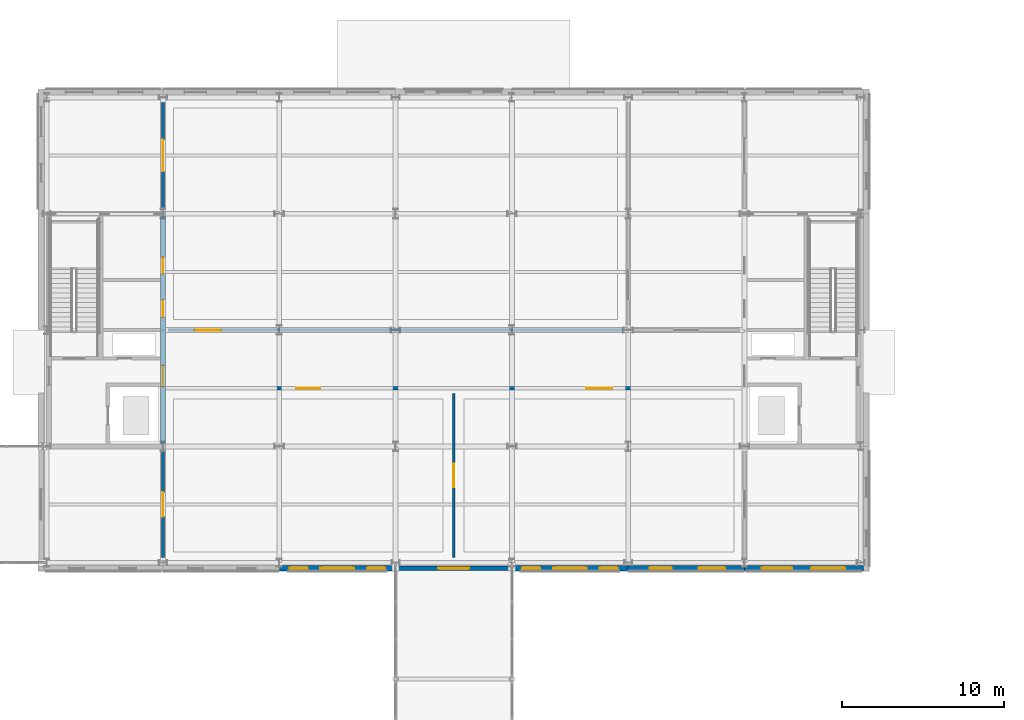
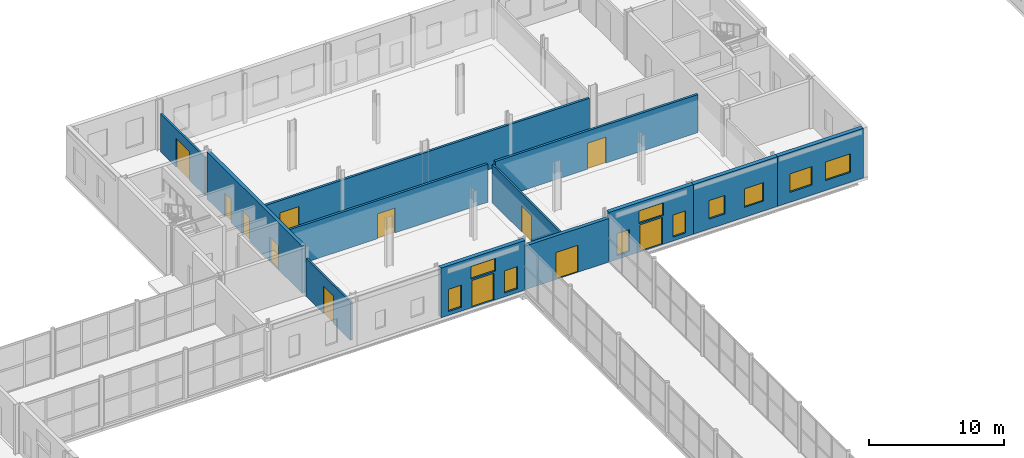
# One storey, part 63 of 92: 12 doors, 12 walls, 10 windows, 22 openings.
"""IFC4 building model written with IfcOpenShell, lengths in metres."""

from ifc_helpers import new_model, si_unit, direction, frame, frame_2d, origin, place, context, subcontext, project, spatial, rectangle, extrude, material, layer, layer_set, type_object, element, fill, save


model = new_model("IFC4")

# Units and contexts
model_context = context("Model", 3, precision=1e-05, world=origin(), true_north=direction((0.0, 1.0)))
body_context = subcontext(model_context, "Body", "Model", "MODEL_VIEW")
ifc_project = project(units=[si_unit("LENGTHUNIT", "METRE"), si_unit("AREAUNIT", "SQUARE_METRE"), si_unit("VOLUMEUNIT", "CUBIC_METRE"), si_unit("PLANEANGLEUNIT", "RADIAN"), si_unit("MASSUNIT", "GRAM", prefix="KILO")], contexts=[model_context])

# Site, building, storey
site_placement = place(None, origin())
site = spatial("IfcSite", under=ifc_project, at=site_placement, CompositionType="ELEMENT")
building_placement = place(site_placement, origin())
building = spatial("IfcBuilding", under=site, at=building_placement, Name="Zlatovets Crest Museum", CompositionType="ELEMENT")
storey_placement = place(building_placement, origin())
storey = spatial("IfcBuildingStorey", under=building, at=storey_placement, Name="L00", CompositionType="ELEMENT", Elevation=0.0)

# Wall, openings, doors
ifc_material_1 = material(Name="Concrete C35/45", Category="concrete")
ifc_layer_1 = layer(ifc_material_1, 0.300048828125)
ifc_layer_set_1 = layer_set([ifc_layer_1], Name="Concrete C35/45")
wall_type_1 = type_object("IfcWallType", Name="CoreWall_SW01", PredefinedType="SHEAR", material=ifc_layer_set_1)
wall_1_placement = place(storey_placement, frame((64.800048828125, 93.75, 0.0), z_axis=(0.0, 0.0, 1.0), x_axis=(0.0, 1.0, 0.0)))
wall_1 = element("IfcWall", 1, at=wall_1_placement, inside=storey, type_object=wall_type_1, Name="Core C1 L00 Spine Shear Wall", PredefinedType="SHEAR", context=body_context, shape_type="SweptSolid", body=[
    extrude(rectangle(XDim=14.10009765625, YDim=0.300048828125, at=frame_2d((7.050048828125, 0.0))), origin(), (0.0, 0.0, 1.0), 4.280029296875),
])
opening_1_placement = place(wall_1_placement, frame((3.550048828125, 0.0, 0.0)))
opening_1 = element("IfcOpeningElement", 2, at=opening_1_placement, cuts=wall_1, Name="Opening FD-01", PredefinedType="OPENING", context=body_context, shape_type="SweptSolid", body=[
    extrude(rectangle(XDim=1.300048828125, YDim=2.199951171875, at=frame_2d((0.64990234375, 1.10009765625))), frame((0.0, 0.16015625, 0.0), z_axis=(0.0, -1.0, 0.0), x_axis=(1.0, 0.0, 0.0)), (0.0, 0.0, 1.0), 0.320068359375),
])
opening_2_placement = place(wall_1_placement, frame((7.85009765625, 0.0, 0.0)))
opening_2 = element("IfcOpeningElement", 3, at=opening_2_placement, cuts=wall_1, Name="Opening ID-02", PredefinedType="OPENING", context=body_context, shape_type="SweptSolid", body=[
    extrude(rectangle(XDim=1.050048828125, YDim=2.14990234375, at=frame_2d((0.52490234375, 1.074951171875))), frame((0.0, 0.16015625, 0.0), z_axis=(0.0, -1.0, 0.0), x_axis=(1.0, 0.0, 0.0)), (0.0, 0.0, 1.0), 0.320068359375),
])
opening_3_placement = place(wall_1_placement, frame((10.550048828125, 0.0, 0.0)))
opening_3 = element("IfcOpeningElement", 4, at=opening_3_placement, cuts=wall_1, Name="Opening ID-01", PredefinedType="OPENING", context=body_context, shape_type="SweptSolid", body=[
    extrude(rectangle(XDim=1.0, YDim=2.14990234375, at=frame_2d((0.5, 1.074951171875))), frame((0.0, 0.16015625, 0.0), z_axis=(0.0, -1.0, 0.0), x_axis=(1.0, 0.0, 0.0)), (0.0, 0.0, 1.0), 0.320068359375),
])
ifc_material_2 = material(Name="Smoke-sealed steel fire door", Category="steel")
door_type_1 = type_object("IfcDoorType", Name="IntDoor_FD-01", OperationType="NOTDEFINED", PredefinedType="DOOR", material=ifc_material_2)
door_1_placement = place(opening_1_placement, origin())
door_1 = element("IfcDoor", 5, at=door_1_placement, inside=storey, type_object=door_type_1, Name="CDOOR-C1-L00-LOB Core C1 L00 Lobby Fire Door", OperationType="SINGLE_SWING_RIGHT", OverallHeight=2.199951171875, OverallWidth=1.300048828125, PredefinedType="DOOR", context=body_context, shape_type="SweptSolid", body=[
    extrude(rectangle(XDim=1.300048828125, YDim=2.199951171875, at=frame_2d((0.64990234375, 1.10009765625))), frame((0.0, 0.02490234375, 0.0), z_axis=(0.0, -1.0, 0.0), x_axis=(1.0, 0.0, 0.0)), (0.0, 0.0, 1.0), 0.050048828125),
])
fill(opening_1, door_1)
ifc_material_3 = material(Name="Solid oak museum room door")
door_type_2 = type_object("IfcDoorType", Name="IntDoor_ID-01", OperationType="NOTDEFINED", PredefinedType="DOOR", material=ifc_material_3)
door_2_placement = place(opening_3_placement, origin())
door_2 = element("IfcDoor", 6, at=door_2_placement, inside=storey, type_object=door_type_2, Name="CDOOR-C1-L00-WC Core C1 L00 Public Restroom Door", OperationType="SINGLE_SWING_RIGHT", OverallHeight=2.14990234375, OverallWidth=1.0, PredefinedType="DOOR", context=body_context, shape_type="SweptSolid", body=[
    extrude(rectangle(XDim=1.0, YDim=2.14990234375, at=frame_2d((0.5, 1.074951171875))), frame((0.0, 0.02490234375, 0.0), z_axis=(0.0, -1.0, 0.0), x_axis=(1.0, 0.0, 0.0)), (0.0, 0.0, 1.0), 0.050048828125),
])
fill(opening_3, door_2)
ifc_material_4 = material(Name="Accessible sanitary room door")
door_type_3 = type_object("IfcDoorType", Name="IntDoor_ID-02", OperationType="NOTDEFINED", PredefinedType="DOOR", material=ifc_material_4)
door_3_placement = place(opening_2_placement, origin())
door_3 = element("IfcDoor", 7, at=door_3_placement, inside=storey, type_object=door_type_3, Name="CDOOR-C1-L00-AWC Core C1 L00 Accessible WC Door", OperationType="SINGLE_SWING_LEFT", OverallHeight=2.14990234375, OverallWidth=1.050048828125, PredefinedType="DOOR", context=body_context, shape_type="SweptSolid", body=[
    extrude(rectangle(XDim=1.050048828125, YDim=2.14990234375, at=frame_2d((0.52490234375, 1.074951171875))), frame((0.0, 0.02490234375, 0.0), z_axis=(0.0, -1.0, 0.0), x_axis=(1.0, 0.0, 0.0)), (0.0, 0.0, 1.0), 0.050048828125),
])
fill(opening_2, door_3)

# Wall, openings, door, windows
ifc_material_5 = material(Name="Vratsa limestone ashlar masonry and mineral wool", Category="masonry")
ifc_layer_2 = layer(ifc_material_5, 0.35009765625)
ifc_layer_set_2 = layer_set([ifc_layer_2], Name="Vratsa limestone ashlar masonry and mineral wool")
wall_type_2 = type_object("IfcWallType", Name="ExtWall_EW-01", PredefinedType="STANDARD", material=ifc_layer_set_2)
wall_2_placement = place(storey_placement, frame((72.0, 86.06005859375, 0.0), z_axis=(0.0, 0.0, 1.0), x_axis=(1.0, 0.0, 0.0)))
wall_2 = element("IfcWall", 8, at=wall_2_placement, inside=storey, type_object=wall_type_2, Name="V1 L00 Sculpted Art Nouveau Portal Wall", PredefinedType="STANDARD", context=body_context, shape_type="SweptSolid", body=[
    extrude(rectangle(XDim=7.199951171875, YDim=0.35009765625, at=frame_2d((3.60009765625, 0.0))), origin(), (0.0, 0.0, 1.0), 4.5),
])
opening_4_placement = place(wall_2_placement, frame((2.64990234375, 0.0, 0.0)))
opening_4 = element("IfcOpeningElement", 9, at=opening_4_placement, cuts=wall_2, Name="Opening ED-02", PredefinedType="OPENING", context=body_context, shape_type="SweptSolid", body=[
    extrude(rectangle(XDim=1.89990234375, YDim=2.449951171875, at=frame_2d((0.949951171875, 1.22509765625))), frame((0.0, 0.18505859375, 0.0), z_axis=(0.0, -1.0, 0.0), x_axis=(1.0, 0.0, 0.0)), (0.0, 0.0, 1.0), 0.3701171875),
])
opening_5_placement = place(wall_2_placement, frame((2.550048828125, 0.0, 2.60009765625)))
opening_5 = element("IfcOpeningElement", 10, at=opening_5_placement, cuts=wall_2, Name="Opening WN-13", PredefinedType="OPENING", context=body_context, shape_type="SweptSolid", body=[
    extrude(rectangle(XDim=2.10009765625, YDim=1.14990234375, at=frame_2d((1.050048828125, 0.574951171875))), frame((0.0, 0.18505859375, 0.0), z_axis=(0.0, -1.0, 0.0), x_axis=(1.0, 0.0, 0.0)), (0.0, 0.0, 1.0), 0.3701171875),
])
opening_6_placement = place(wall_2_placement, frame((0.64990234375, 0.0, 0.35009765625)))
opening_6 = element("IfcOpeningElement", 11, at=opening_6_placement, cuts=wall_2, Name="Opening WN-06", PredefinedType="OPENING", context=body_context, shape_type="SweptSolid", body=[
    extrude(rectangle(XDim=1.10009765625, YDim=2.0, at=frame_2d((0.550048828125, 1.0))), frame((0.0, 0.18505859375, 0.0), z_axis=(0.0, -1.0, 0.0), x_axis=(1.0, 0.0, 0.0)), (0.0, 0.0, 1.0), 0.3701171875),
])
opening_7_placement = place(wall_2_placement, frame((5.449951171875, 0.0, 0.35009765625)))
opening_7 = element("IfcOpeningElement", 12, at=opening_7_placement, cuts=wall_2, Name="Opening WN-06", PredefinedType="OPENING", context=body_context, shape_type="SweptSolid", body=[
    extrude(rectangle(XDim=1.10009765625, YDim=2.0, at=frame_2d((0.550048828125, 1.0))), frame((0.0, 0.18505859375, 0.0), z_axis=(0.0, -1.0, 0.0), x_axis=(1.0, 0.0, 0.0)), (0.0, 0.0, 1.0), 0.3701171875),
])
ifc_material_6 = material(Name="Bronze-clad insulated steel door", Category="steel")
door_type_4 = type_object("IfcDoorType", Name="ExtDoor_ED-02", OperationType="NOTDEFINED", PredefinedType="DOOR", material=ifc_material_6)
door_4_placement = place(opening_4_placement, origin())
door_4 = element("IfcDoor", 13, at=door_4_placement, inside=storey, type_object=door_type_4, Name="ED-V1-L00-P001 NORTH GALLERY COURT PORTAL Exit Door", OperationType="DOUBLE_DOOR_SINGLE_SWING", OverallHeight=2.449951171875, OverallWidth=1.89990234375, PredefinedType="DOOR", context=body_context, shape_type="SweptSolid", body=[
    extrude(rectangle(XDim=1.89990234375, YDim=2.449951171875, at=frame_2d((0.949951171875, 1.22509765625))), frame((0.0, 0.02490234375, 0.0), z_axis=(0.0, -1.0, 0.0), x_axis=(1.0, 0.0, 0.0)), (0.0, 0.0, 1.0), 0.050048828125),
])
fill(opening_4, door_4)
ifc_material_7 = material(Name="Bronze-anodised aluminium frame with low-E triple glass", Category="aluminium")
window_type_1 = type_object("IfcWindowType", Name="Win_WN-06", PartitioningType="SINGLE_PANEL", PredefinedType="WINDOW", material=ifc_material_7)
window_1_placement = place(opening_6_placement, origin())
window_1 = element("IfcWindow", 14, at=window_1_placement, inside=storey, type_object=window_type_1, Name="NORTH GALLERY COURT PORTAL Glazed Portal Sidelight 1", OverallHeight=2.0, OverallWidth=1.10009765625, PartitioningType="SINGLE_PANEL", PredefinedType="WINDOW", context=body_context, shape_type="SweptSolid", body=[
    extrude(rectangle(XDim=1.10009765625, YDim=2.0, at=frame_2d((0.550048828125, 1.0))), frame((0.0, 0.030029296875, 0.0), z_axis=(0.0, -1.0, 0.0), x_axis=(1.0, 0.0, 0.0)), (0.0, 0.0, 1.0), 0.06005859375),
])
fill(opening_6, window_1)
window_2_placement = place(opening_7_placement, origin())
window_2 = element("IfcWindow", 15, at=window_2_placement, inside=storey, type_object=window_type_1, Name="NORTH GALLERY COURT PORTAL Glazed Portal Sidelight 2", OverallHeight=2.0, OverallWidth=1.10009765625, PartitioningType="SINGLE_PANEL", PredefinedType="WINDOW", context=body_context, shape_type="SweptSolid", body=[
    extrude(rectangle(XDim=1.10009765625, YDim=2.0, at=frame_2d((0.550048828125, 1.0))), frame((0.0, 0.030029296875, 0.0), z_axis=(0.0, -1.0, 0.0), x_axis=(1.0, 0.0, 0.0)), (0.0, 0.0, 1.0), 0.06005859375),
])
fill(opening_7, window_2)
window_type_2 = type_object("IfcWindowType", Name="Win_WN-13", PartitioningType="SINGLE_PANEL", PredefinedType="WINDOW", material=ifc_material_7)
window_3_placement = place(opening_5_placement, origin())
window_3 = element("IfcWindow", 16, at=window_3_placement, inside=storey, type_object=window_type_2, Name="NORTH GALLERY COURT PORTAL Arched Portal Fanlight", OverallHeight=1.14990234375, OverallWidth=2.10009765625, PartitioningType="SINGLE_PANEL", PredefinedType="WINDOW", context=body_context, shape_type="SweptSolid", body=[
    extrude(rectangle(XDim=2.10009765625, YDim=1.14990234375, at=frame_2d((1.050048828125, 0.574951171875))), frame((0.0, 0.030029296875, 0.0), z_axis=(0.0, -1.0, 0.0), x_axis=(1.0, 0.0, 0.0)), (0.0, 0.0, 1.0), 0.06005859375),
])
fill(opening_5, window_3)

wall_3_placement = place(storey_placement, frame((86.39990234375, 86.06005859375, 0.0), z_axis=(0.0, 0.0, 1.0), x_axis=(1.0, 0.0, 0.0)))
wall_3 = element("IfcWall", 17, at=wall_3_placement, inside=storey, type_object=wall_type_2, Name="V1 L00 Sculpted Art Nouveau Portal Wall", PredefinedType="STANDARD", context=body_context, shape_type="SweptSolid", body=[
    extrude(rectangle(XDim=7.2001953125, YDim=0.35009765625, at=frame_2d((3.60009765625, 0.0))), origin(), (0.0, 0.0, 1.0), 4.5),
])
opening_8_placement = place(wall_3_placement, frame((2.64990234375, 0.0, 0.0)))
opening_8 = element("IfcOpeningElement", 18, at=opening_8_placement, cuts=wall_3, Name="Opening ED-02", PredefinedType="OPENING", context=body_context, shape_type="SweptSolid", body=[
    extrude(rectangle(XDim=1.89990234375, YDim=2.449951171875, at=frame_2d((0.949951171875, 1.22509765625))), frame((0.0, 0.18505859375, 0.0), z_axis=(0.0, -1.0, 0.0), x_axis=(1.0, 0.0, 0.0)), (0.0, 0.0, 1.0), 0.3701171875),
])
opening_9_placement = place(wall_3_placement, frame((2.550048828125, 0.0, 2.60009765625)))
opening_9 = element("IfcOpeningElement", 19, at=opening_9_placement, cuts=wall_3, Name="Opening WN-13", PredefinedType="OPENING", context=body_context, shape_type="SweptSolid", body=[
    extrude(rectangle(XDim=2.10009765625, YDim=1.14990234375, at=frame_2d((1.050048828125, 0.574951171875))), frame((0.0, 0.18505859375, 0.0), z_axis=(0.0, -1.0, 0.0), x_axis=(1.0, 0.0, 0.0)), (0.0, 0.0, 1.0), 0.3701171875),
])
opening_10_placement = place(wall_3_placement, frame((0.64990234375, 0.0, 0.35009765625)))
opening_10 = element("IfcOpeningElement", 20, at=opening_10_placement, cuts=wall_3, Name="Opening WN-06", PredefinedType="OPENING", context=body_context, shape_type="SweptSolid", body=[
    extrude(rectangle(XDim=1.10009765625, YDim=2.0, at=frame_2d((0.550048828125, 1.0))), frame((0.0, 0.18505859375, 0.0), z_axis=(0.0, -1.0, 0.0), x_axis=(1.0, 0.0, 0.0)), (0.0, 0.0, 1.0), 0.3701171875),
])
opening_11_placement = place(wall_3_placement, frame((5.449951171875, 0.0, 0.35009765625)))
opening_11 = element("IfcOpeningElement", 21, at=opening_11_placement, cuts=wall_3, Name="Opening WN-06", PredefinedType="OPENING", context=body_context, shape_type="SweptSolid", body=[
    extrude(rectangle(XDim=1.10009765625, YDim=2.0, at=frame_2d((0.550048828125, 1.0))), frame((0.0, 0.18505859375, 0.0), z_axis=(0.0, -1.0, 0.0), x_axis=(1.0, 0.0, 0.0)), (0.0, 0.0, 1.0), 0.3701171875),
])
door_5_placement = place(opening_8_placement, origin())
door_5 = element("IfcDoor", 22, at=door_5_placement, inside=storey, type_object=door_type_4, Name="ED-V1-L00-P003 NORTH GALLERY COURT PORTAL Exit Door", OperationType="DOUBLE_DOOR_SINGLE_SWING", OverallHeight=2.449951171875, OverallWidth=1.89990234375, PredefinedType="DOOR", context=body_context, shape_type="SweptSolid", body=[
    extrude(rectangle(XDim=1.89990234375, YDim=2.449951171875, at=frame_2d((0.949951171875, 1.22509765625))), frame((0.0, 0.02490234375, 0.0), z_axis=(0.0, -1.0, 0.0), x_axis=(1.0, 0.0, 0.0)), (0.0, 0.0, 1.0), 0.050048828125),
])
fill(opening_8, door_5)
window_4_placement = place(opening_10_placement, origin())
window_4 = element("IfcWindow", 23, at=window_4_placement, inside=storey, type_object=window_type_1, Name="NORTH GALLERY COURT PORTAL Glazed Portal Sidelight 1", OverallHeight=2.0, OverallWidth=1.10009765625, PartitioningType="SINGLE_PANEL", PredefinedType="WINDOW", context=body_context, shape_type="SweptSolid", body=[
    extrude(rectangle(XDim=1.10009765625, YDim=2.0, at=frame_2d((0.550048828125, 1.0))), frame((0.0, 0.030029296875, 0.0), z_axis=(0.0, -1.0, 0.0), x_axis=(1.0, 0.0, 0.0)), (0.0, 0.0, 1.0), 0.06005859375),
])
fill(opening_10, window_4)
window_5_placement = place(opening_11_placement, origin())
window_5 = element("IfcWindow", 24, at=window_5_placement, inside=storey, type_object=window_type_1, Name="NORTH GALLERY COURT PORTAL Glazed Portal Sidelight 2", OverallHeight=2.0, OverallWidth=1.10009765625, PartitioningType="SINGLE_PANEL", PredefinedType="WINDOW", context=body_context, shape_type="SweptSolid", body=[
    extrude(rectangle(XDim=1.10009765625, YDim=2.0, at=frame_2d((0.550048828125, 1.0))), frame((0.0, 0.030029296875, 0.0), z_axis=(0.0, -1.0, 0.0), x_axis=(1.0, 0.0, 0.0)), (0.0, 0.0, 1.0), 0.06005859375),
])
fill(opening_11, window_5)
window_6_placement = place(opening_9_placement, origin())
window_6 = element("IfcWindow", 25, at=window_6_placement, inside=storey, type_object=window_type_2, Name="NORTH GALLERY COURT PORTAL Arched Portal Fanlight", OverallHeight=1.14990234375, OverallWidth=2.10009765625, PartitioningType="SINGLE_PANEL", PredefinedType="WINDOW", context=body_context, shape_type="SweptSolid", body=[
    extrude(rectangle(XDim=2.10009765625, YDim=1.14990234375, at=frame_2d((1.050048828125, 0.574951171875))), frame((0.0, 0.030029296875, 0.0), z_axis=(0.0, -1.0, 0.0), x_axis=(1.0, 0.0, 0.0)), (0.0, 0.0, 1.0), 0.06005859375),
])
fill(opening_9, window_6)

# Wall, openings, windows
wall_4_placement = place(storey_placement, frame((93.60009765625, 86.06005859375, 0.0), z_axis=(0.0, 0.0, 1.0), x_axis=(1.0, 0.0, 0.0)))
wall_4 = element("IfcWall", 26, at=wall_4_placement, inside=storey, type_object=wall_type_2, Name="V1 L00 Vratsa Limestone Plinth Wall", PredefinedType="STANDARD", context=body_context, shape_type="SweptSolid", body=[
    extrude(rectangle(XDim=7.199951171875, YDim=0.35009765625, at=frame_2d((3.60009765625, 0.0))), origin(), (0.0, 0.0, 1.0), 4.5),
])
opening_12_placement = place(wall_4_placement, frame((1.321044921875, 0.0, 0.89990234375)))
opening_12 = element("IfcOpeningElement", 27, at=opening_12_placement, cuts=wall_4, Name="Opening WN-24", PredefinedType="OPENING", context=body_context, shape_type="SweptSolid", body=[
    extrude(rectangle(XDim=1.389892578125, YDim=1.679931640625, at=frame_2d((0.69482421875, 0.83984375))), frame((0.0, 0.18505859375, 0.0), z_axis=(0.0, -1.0, 0.0), x_axis=(1.0, 0.0, 0.0)), (0.0, 0.0, 1.0), 0.3701171875),
])
opening_13_placement = place(wall_4_placement, frame((4.368896484375, 0.0, 0.89990234375)))
opening_13 = element("IfcOpeningElement", 28, at=opening_13_placement, cuts=wall_4, Name="Opening WN-25", PredefinedType="OPENING", context=body_context, shape_type="SweptSolid", body=[
    extrude(rectangle(XDim=1.6298828125, YDim=1.679931640625, at=frame_2d((0.81494140625, 0.83984375))), frame((0.0, 0.18505859375, 0.0), z_axis=(0.0, -1.0, 0.0), x_axis=(1.0, 0.0, 0.0)), (0.0, 0.0, 1.0), 0.3701171875),
])
window_type_3 = type_object("IfcWindowType", Name="Win_WN-24", PartitioningType="SINGLE_PANEL", PredefinedType="WINDOW", material=ifc_material_7)
window_7_placement = place(opening_12_placement, origin())
window_7 = element("IfcWindow", 29, at=window_7_placement, inside=storey, type_object=window_type_3, Name="V1 L00 Secession Plinth Window WN-24", OverallHeight=1.679931640625, OverallWidth=1.389892578125, PartitioningType="SINGLE_PANEL", PredefinedType="WINDOW", context=body_context, shape_type="SweptSolid", body=[
    extrude(rectangle(XDim=1.389892578125, YDim=1.679931640625, at=frame_2d((0.69482421875, 0.83984375))), frame((0.0, 0.030029296875, 0.0), z_axis=(0.0, -1.0, 0.0), x_axis=(1.0, 0.0, 0.0)), (0.0, 0.0, 1.0), 0.06005859375),
])
fill(opening_12, window_7)
window_type_4 = type_object("IfcWindowType", Name="Win_WN-25", PartitioningType="SINGLE_PANEL", PredefinedType="WINDOW", material=ifc_material_7)
window_8_placement = place(opening_13_placement, origin())
window_8 = element("IfcWindow", 30, at=window_8_placement, inside=storey, type_object=window_type_4, Name="V1 L00 Secession Plinth Window WN-25", OverallHeight=1.679931640625, OverallWidth=1.6298828125, PartitioningType="SINGLE_PANEL", PredefinedType="WINDOW", context=body_context, shape_type="SweptSolid", body=[
    extrude(rectangle(XDim=1.6298828125, YDim=1.679931640625, at=frame_2d((0.81494140625, 0.83984375))), frame((0.0, 0.030029296875, 0.0), z_axis=(0.0, -1.0, 0.0), x_axis=(1.0, 0.0, 0.0)), (0.0, 0.0, 1.0), 0.06005859375),
])
fill(opening_13, window_8)

wall_5_placement = place(storey_placement, frame((100.800048828125, 86.06005859375, 0.0), z_axis=(0.0, 0.0, 1.0), x_axis=(1.0, 0.0, 0.0)))
wall_5 = element("IfcWall", 31, at=wall_5_placement, inside=storey, type_object=wall_type_2, Name="V1 L00 Vratsa Limestone Plinth Wall", PredefinedType="STANDARD", context=body_context, shape_type="SweptSolid", body=[
    extrude(rectangle(XDim=7.364990234375, YDim=0.35009765625, at=frame_2d((3.6826171875, 0.0))), origin(), (0.0, 0.0, 1.0), 4.5),
])
opening_14_placement = place(wall_5_placement, frame((1.0810546875, 0.0, 0.89990234375)))
opening_14 = element("IfcOpeningElement", 32, at=opening_14_placement, cuts=wall_5, Name="Opening WN-26", PredefinedType="OPENING", context=body_context, shape_type="SweptSolid", body=[
    extrude(rectangle(XDim=1.8701171875, YDim=1.679931640625, at=frame_2d((0.93505859375, 0.83984375))), frame((0.0, 0.18505859375, 0.0), z_axis=(0.0, -1.0, 0.0), x_axis=(1.0, 0.0, 0.0)), (0.0, 0.0, 1.0), 0.3701171875),
])
opening_15_placement = place(wall_5_placement, frame((4.12890625, 0.0, 0.89990234375)))
opening_15 = element("IfcOpeningElement", 33, at=opening_15_placement, cuts=wall_5, Name="Opening WN-27", PredefinedType="OPENING", context=body_context, shape_type="SweptSolid", body=[
    extrude(rectangle(XDim=2.110107421875, YDim=1.679931640625, at=frame_2d((1.05517578125, 0.83984375))), frame((0.0, 0.18505859375, 0.0), z_axis=(0.0, -1.0, 0.0), x_axis=(1.0, 0.0, 0.0)), (0.0, 0.0, 1.0), 0.3701171875),
])
window_type_5 = type_object("IfcWindowType", Name="Win_WN-26", PartitioningType="SINGLE_PANEL", PredefinedType="WINDOW", material=ifc_material_7)
window_9_placement = place(opening_14_placement, origin())
window_9 = element("IfcWindow", 34, at=window_9_placement, inside=storey, type_object=window_type_5, Name="V1 L00 Secession Plinth Window WN-26", OverallHeight=1.679931640625, OverallWidth=1.8701171875, PartitioningType="SINGLE_PANEL", PredefinedType="WINDOW", context=body_context, shape_type="SweptSolid", body=[
    extrude(rectangle(XDim=1.8701171875, YDim=1.679931640625, at=frame_2d((0.93505859375, 0.83984375))), frame((0.0, 0.030029296875, 0.0), z_axis=(0.0, -1.0, 0.0), x_axis=(1.0, 0.0, 0.0)), (0.0, 0.0, 1.0), 0.06005859375),
])
fill(opening_14, window_9)
window_type_6 = type_object("IfcWindowType", Name="Win_WN-27", PartitioningType="SINGLE_PANEL", PredefinedType="WINDOW", material=ifc_material_7)
window_10_placement = place(opening_15_placement, origin())
window_10 = element("IfcWindow", 35, at=window_10_placement, inside=storey, type_object=window_type_6, Name="V1 L00 Secession Plinth Window WN-27", OverallHeight=1.679931640625, OverallWidth=2.110107421875, PartitioningType="SINGLE_PANEL", PredefinedType="WINDOW", context=body_context, shape_type="SweptSolid", body=[
    extrude(rectangle(XDim=2.110107421875, YDim=1.679931640625, at=frame_2d((1.05517578125, 0.83984375))), frame((0.0, 0.030029296875, 0.0), z_axis=(0.0, -1.0, 0.0), x_axis=(1.0, 0.0, 0.0)), (0.0, 0.0, 1.0), 0.06005859375),
])
fill(opening_15, window_10)

# Wall, opening, door
ifc_material_8 = material(Name="Insulated gallery conservation liner wall", Category="concrete")
ifc_layer_3 = layer(ifc_material_8, 0.300048828125)
ifc_layer_set_3 = layer_set([ifc_layer_3], Name="Insulated gallery conservation liner wall")
wall_type_3 = type_object("IfcWallType", Name="ExtWall_EW-02", PredefinedType="STANDARD", material=ifc_layer_set_3)
wall_6_placement = place(storey_placement, frame((79.199951171875, 86.06005859375, 0.0), z_axis=(0.0, 0.0, 1.0), x_axis=(1.0, 0.0, 0.0)))
wall_6 = element("IfcWall", 36, at=wall_6_placement, inside=storey, type_object=wall_type_3, Name="V1 L00 Bridge Portal Wall", PredefinedType="STANDARD", context=body_context, shape_type="SweptSolid", body=[
    extrude(rectangle(XDim=7.199951171875, YDim=0.300048828125, at=frame_2d((3.60009765625, 0.0))), origin(), (0.0, 0.0, 1.0), 3.949951171875),
])
opening_16_placement = place(wall_6_placement, frame((2.64990234375, 0.0, 0.0)))
opening_16 = element("IfcOpeningElement", 37, at=opening_16_placement, cuts=wall_6, Name="Opening ED-02", PredefinedType="OPENING", context=body_context, shape_type="SweptSolid", body=[
    extrude(rectangle(XDim=1.89990234375, YDim=2.449951171875, at=frame_2d((0.949951171875, 1.22509765625))), frame((0.0, 0.16015625, 0.0), z_axis=(0.0, -1.0, 0.0), x_axis=(1.0, 0.0, 0.0)), (0.0, 0.0, 1.0), 0.320068359375),
])
door_6_placement = place(opening_16_placement, origin())
door_6 = element("IfcDoor", 38, at=door_6_placement, inside=storey, type_object=door_type_4, Name="ED-V1-L00-BR002 V1 L00 Bridge Link Portal Door", OperationType="DOUBLE_DOOR_SINGLE_SWING", OverallHeight=2.449951171875, OverallWidth=1.89990234375, PredefinedType="DOOR", context=body_context, shape_type="SweptSolid", body=[
    extrude(rectangle(XDim=1.89990234375, YDim=2.449951171875, at=frame_2d((0.949951171875, 1.22509765625))), frame((0.0, 0.02490234375, 0.0), z_axis=(0.0, -1.0, 0.0), x_axis=(1.0, 0.0, 0.0)), (0.0, 0.0, 1.0), 0.050048828125),
])
fill(opening_16, door_6)

ifc_material_9 = material(Name="Gypsum-encased fire compartment partition")
ifc_layer_4 = layer(ifc_material_9, 0.199951171875)
ifc_layer_set_4 = layer_set([ifc_layer_4], Name="Gypsum-encased fire compartment partition")
wall_type_4 = type_object("IfcWallType", Name="PartWall_PT-01", PredefinedType="PARTITIONING", material=ifc_layer_set_4)
wall_7_placement = place(storey_placement, frame((65.1201171875, 97.199951171875, 0.0), z_axis=(0.0, 0.0, 1.0), x_axis=(1.0, 0.0, 0.0)))
wall_7 = element("IfcWall", 39, at=wall_7_placement, inside=storey, type_object=wall_type_4, Name="V1 L00 Interior Partition PT-01", PredefinedType="PARTITIONING", context=body_context, shape_type="SweptSolid", body=[
    extrude(rectangle(XDim=17.35986328125, YDim=0.199951171875, at=frame_2d((8.679931640625, 0.0))), origin(), (0.0, 0.0, 1.0), 3.449951171875),
])
opening_17_placement = place(wall_7_placement, frame((7.929931640625, 0.0, 0.0)))
opening_17 = element("IfcOpeningElement", 40, at=opening_17_placement, cuts=wall_7, Name="Opening FD-02", PredefinedType="OPENING", context=body_context, shape_type="SweptSolid", body=[
    extrude(rectangle(XDim=1.5, YDim=2.25, at=frame_2d((0.75, 1.125))), frame((0.0, 0.10986328125, 0.0), z_axis=(0.0, -1.0, 0.0), x_axis=(1.0, 0.0, 0.0)), (0.0, 0.0, 1.0), 0.219970703125),
])
ifc_material_10 = material(Name="Double corridor compartment fire door")
door_type_5 = type_object("IfcDoorType", Name="IntDoor_FD-02", OperationType="DOUBLE_DOOR_SINGLE_SWING", PredefinedType="DOOR", material=ifc_material_10)
door_7_placement = place(opening_17_placement, origin())
door_7 = element("IfcDoor", 41, at=door_7_placement, inside=storey, type_object=door_type_5, Name="IDOOR-V1-L00-0045 North Gallery Concourse to Sculpture Court North Foyer Door", OperationType="DOUBLE_DOOR_SINGLE_SWING", OverallHeight=2.25, OverallWidth=1.5, PredefinedType="DOOR", context=body_context, shape_type="SweptSolid", body=[
    extrude(rectangle(XDim=1.5, YDim=2.25, at=frame_2d((0.75, 1.125))), frame((0.0, 0.02490234375, 0.0), z_axis=(0.0, -1.0, 0.0), x_axis=(1.0, 0.0, 0.0)), (0.0, 0.0, 1.0), 0.050048828125),
])
fill(opening_17, door_7)

wall_8_placement = place(storey_placement, frame((83.1201171875, 97.199951171875, 0.0), z_axis=(0.0, 0.0, 1.0), x_axis=(1.0, 0.0, 0.0)))
wall_8 = element("IfcWall", 42, at=wall_8_placement, inside=storey, type_object=wall_type_4, Name="V1 L00 Interior Partition PT-01", PredefinedType="PARTITIONING", context=body_context, shape_type="SweptSolid", body=[
    extrude(rectangle(XDim=17.35986328125, YDim=0.199951171875, at=frame_2d((8.679931640625, 0.0))), origin(), (0.0, 0.0, 1.0), 3.449951171875),
])
opening_18_placement = place(wall_8_placement, frame((7.8798828125, 0.0, 0.0)))
opening_18 = element("IfcOpeningElement", 43, at=opening_18_placement, cuts=wall_8, Name="Opening ID-04", PredefinedType="OPENING", context=body_context, shape_type="SweptSolid", body=[
    extrude(rectangle(XDim=1.60009765625, YDim=2.35009765625, at=frame_2d((0.800048828125, 1.175048828125))), frame((0.0, 0.10986328125, 0.0), z_axis=(0.0, -1.0, 0.0), x_axis=(1.0, 0.0, 0.0)), (0.0, 0.0, 1.0), 0.219970703125),
])
ifc_material_11 = material(Name="Gallery salon double portal door")
door_type_6 = type_object("IfcDoorType", Name="IntDoor_ID-04", OperationType="DOUBLE_DOOR_SINGLE_SWING", PredefinedType="DOOR", material=ifc_material_11)
door_8_placement = place(opening_18_placement, origin())
door_8 = element("IfcDoor", 44, at=door_8_placement, inside=storey, type_object=door_type_6, Name="IDOOR-V1-L00-0046 North Gallery Concourse to Rhodope Mineralogy and Crystal Gallery Door", OperationType="DOUBLE_DOOR_SINGLE_SWING", OverallHeight=2.35009765625, OverallWidth=1.60009765625, PredefinedType="DOOR", context=body_context, shape_type="SweptSolid", body=[
    extrude(rectangle(XDim=1.60009765625, YDim=2.35009765625, at=frame_2d((0.800048828125, 1.175048828125))), frame((0.0, 0.02490234375, 0.0), z_axis=(0.0, -1.0, 0.0), x_axis=(1.0, 0.0, 0.0)), (0.0, 0.0, 1.0), 0.050048828125),
])
fill(opening_18, door_8)

wall_9_placement = place(storey_placement, frame((65.1201171875, 100.800048828125, 0.0), z_axis=(0.0, 0.0, 1.0), x_axis=(1.0, 0.0, 0.0)))
wall_9 = element("IfcWall", 45, at=wall_9_placement, inside=storey, type_object=wall_type_4, Name="V1 L00 Interior Partition PT-01", PredefinedType="PARTITIONING", context=body_context, shape_type="SweptSolid", body=[
    extrude(rectangle(XDim=28.159912109375, YDim=0.199951171875, at=frame_2d((14.080078125, 0.0))), origin(), (0.0, 0.0, 1.0), 3.449951171875),
])
opening_19_placement = place(wall_9_placement, frame((1.648681640625, 0.0, 0.0)))
opening_19 = element("IfcOpeningElement", 46, at=opening_19_placement, cuts=wall_9, Name="Opening ID-04", PredefinedType="OPENING", context=body_context, shape_type="SweptSolid", body=[
    extrude(rectangle(XDim=1.60009765625, YDim=2.35009765625, at=frame_2d((0.800048828125, 1.175048828125))), frame((0.0, 0.10986328125, 0.0), z_axis=(0.0, -1.0, 0.0), x_axis=(1.0, 0.0, 0.0)), (0.0, 0.0, 1.0), 0.219970703125),
])
door_9_placement = place(opening_19_placement, origin())
door_9 = element("IfcDoor", 47, at=door_9_placement, inside=storey, type_object=door_type_6, Name="IDOOR-V1-L00-0047 North Gallery Concourse to Balkan Natural Heritage Gallery Door", OperationType="DOUBLE_DOOR_SINGLE_SWING", OverallHeight=2.35009765625, OverallWidth=1.60009765625, PredefinedType="DOOR", context=body_context, shape_type="SweptSolid", body=[
    extrude(rectangle(XDim=1.60009765625, YDim=2.35009765625, at=frame_2d((0.800048828125, 1.175048828125))), frame((0.0, 0.02490234375, 0.0), z_axis=(0.0, -1.0, 0.0), x_axis=(1.0, 0.0, 0.0)), (0.0, 0.0, 1.0), 0.050048828125),
])
fill(opening_19, door_9)

ifc_material_12 = material(Name="Acoustic museum gallery stud partition")
ifc_layer_5 = layer(ifc_material_12, 0.159912109375)
ifc_layer_set_5 = layer_set([ifc_layer_5], Name="Acoustic museum gallery stud partition")
wall_type_5 = type_object("IfcWallType", Name="PartWall_PT-02", PredefinedType="PARTITIONING", material=ifc_layer_set_5)
wall_10_placement = place(storey_placement, frame((82.800048828125, 86.719970703125, 0.0), z_axis=(0.0, 0.0, 1.0), x_axis=(0.0, 1.0, 0.0)))
wall_10 = element("IfcWall", 48, at=wall_10_placement, inside=storey, type_object=wall_type_5, Name="V1 L00 Interior Partition PT-02", PredefinedType="PARTITIONING", context=body_context, shape_type="SweptSolid", body=[
    extrude(rectangle(XDim=10.159912109375, YDim=0.159912109375, at=frame_2d((5.080078125, 0.0))), origin(), (0.0, 0.0, 1.0), 3.449951171875),
])
opening_20_placement = place(wall_10_placement, frame((4.35498046875, 0.0, 0.0)))
opening_20 = element("IfcOpeningElement", 49, at=opening_20_placement, cuts=wall_10, Name="Opening ID-22", PredefinedType="OPENING", context=body_context, shape_type="SweptSolid", body=[
    extrude(rectangle(XDim=1.449951171875, YDim=2.35009765625, at=frame_2d((0.72509765625, 1.175048828125))), frame((0.0, 0.08984375, 0.0), z_axis=(0.0, -1.0, 0.0), x_axis=(1.0, 0.0, 0.0)), (0.0, 0.0, 1.0), 0.179931640625),
])
ifc_material_13 = material(Name="Education studio double door")
door_type_7 = type_object("IfcDoorType", Name="IntDoor_ID-22", OperationType="DOUBLE_DOOR_SINGLE_SWING", PredefinedType="DOOR", material=ifc_material_13)
door_10_placement = place(opening_20_placement, origin())
door_10 = element("IfcDoor", 50, at=door_10_placement, inside=storey, type_object=door_type_7, Name="IDOOR-V1-L00-0049 Sculpture Court North Foyer to Rhodope Mineralogy and Crystal Gallery Door", OperationType="DOUBLE_DOOR_SINGLE_SWING", OverallHeight=2.35009765625, OverallWidth=1.449951171875, PredefinedType="DOOR", context=body_context, shape_type="SweptSolid", body=[
    extrude(rectangle(XDim=1.449951171875, YDim=2.35009765625, at=frame_2d((0.72509765625, 1.175048828125))), frame((0.0, 0.02490234375, 0.0), z_axis=(0.0, -1.0, 0.0), x_axis=(1.0, 0.0, 0.0)), (0.0, 0.0, 1.0), 0.050048828125),
])
fill(opening_20, door_10)

wall_11_placement = place(storey_placement, frame((64.800048828125, 86.719970703125, 0.0), z_axis=(0.0, 0.0, 1.0), x_axis=(0.0, 1.0, 0.0)))
wall_11 = element("IfcWall", 51, at=wall_11_placement, inside=storey, type_object=wall_type_5, Name="V1 L00 Interior Partition PT-02", PredefinedType="PARTITIONING", context=body_context, shape_type="SweptSolid", body=[
    extrude(rectangle(XDim=6.56005859375, YDim=0.159912109375, at=frame_2d((3.280029296875, 0.0))), origin(), (0.0, 0.0, 1.0), 3.449951171875),
])
opening_21_placement = place(wall_11_placement, frame((2.530029296875, 0.0, 0.0)))
opening_21 = element("IfcOpeningElement", 52, at=opening_21_placement, cuts=wall_11, Name="Opening ID-23", PredefinedType="OPENING", context=body_context, shape_type="SweptSolid", body=[
    extrude(rectangle(XDim=1.5, YDim=2.5, at=frame_2d((0.75, 1.25))), frame((0.0, 0.08984375, 0.0), z_axis=(0.0, -1.0, 0.0), x_axis=(1.0, 0.0, 0.0)), (0.0, 0.0, 1.0), 0.179931640625),
])
ifc_material_14 = material(Name="Foyer vestibule double door")
door_type_8 = type_object("IfcDoorType", Name="IntDoor_ID-23", OperationType="DOUBLE_DOOR_SINGLE_SWING", PredefinedType="DOOR", material=ifc_material_14)
door_11_placement = place(opening_21_placement, origin())
door_11 = element("IfcDoor", 53, at=door_11_placement, inside=storey, type_object=door_type_8, Name="IDOOR-V1-L00-0050 Sculpture Court North Foyer to North Visitor Cloakroom Door", OperationType="DOUBLE_DOOR_SINGLE_SWING", OverallHeight=2.5, OverallWidth=1.5, PredefinedType="DOOR", context=body_context, shape_type="SweptSolid", body=[
    extrude(rectangle(XDim=1.5, YDim=2.5, at=frame_2d((0.75, 1.25))), frame((0.0, 0.02490234375, 0.0), z_axis=(0.0, -1.0, 0.0), x_axis=(1.0, 0.0, 0.0)), (0.0, 0.0, 1.0), 0.050048828125),
])
fill(opening_21, door_11)

wall_12_placement = place(storey_placement, frame((64.800048828125, 108.320068359375, 0.0), z_axis=(0.0, 0.0, 1.0), x_axis=(0.0, 1.0, 0.0)))
wall_12 = element("IfcWall", 54, at=wall_12_placement, inside=storey, type_object=wall_type_5, Name="V1 L00 Interior Partition PT-02", PredefinedType="PARTITIONING", context=body_context, shape_type="SweptSolid", body=[
    extrude(rectangle(XDim=6.559814453125, YDim=0.159912109375, at=frame_2d((3.27978515625, 0.0))), origin(), (0.0, 0.0, 1.0), 3.449951171875),
])
opening_22_placement = place(wall_12_placement, frame((2.304931640625, 0.0, 0.0)))
opening_22 = element("IfcOpeningElement", 55, at=opening_22_placement, cuts=wall_12, Name="Opening ID-26", PredefinedType="OPENING", context=body_context, shape_type="SweptSolid", body=[
    extrude(rectangle(XDim=1.949951171875, YDim=2.60009765625, at=frame_2d((0.97509765625, 1.300048828125))), frame((0.0, 0.08984375, 0.0), z_axis=(0.0, -1.0, 0.0), x_axis=(1.0, 0.0, 0.0)), (0.0, 0.0, 1.0), 0.179931640625),
])
ifc_material_15 = material(Name="Belvedere gallery double portal")
door_type_9 = type_object("IfcDoorType", Name="IntDoor_ID-26", OperationType="DOUBLE_DOOR_SINGLE_SWING", PredefinedType="DOOR", material=ifc_material_15)
door_12_placement = place(opening_22_placement, origin())
door_12 = element("IfcDoor", 56, at=door_12_placement, inside=storey, type_object=door_type_9, Name="IDOOR-V1-L00-0053 Balkan Natural Heritage Gallery to Gallery Registrar Office Door", OperationType="DOUBLE_DOOR_SINGLE_SWING", OverallHeight=2.60009765625, OverallWidth=1.949951171875, PredefinedType="DOOR", context=body_context, shape_type="SweptSolid", body=[
    extrude(rectangle(XDim=1.949951171875, YDim=2.60009765625, at=frame_2d((0.97509765625, 1.300048828125))), frame((0.0, 0.02490234375, 0.0), z_axis=(0.0, -1.0, 0.0), x_axis=(1.0, 0.0, 0.0)), (0.0, 0.0, 1.0), 0.050048828125),
])
fill(opening_22, door_12)

save(model, "model.ifc")
